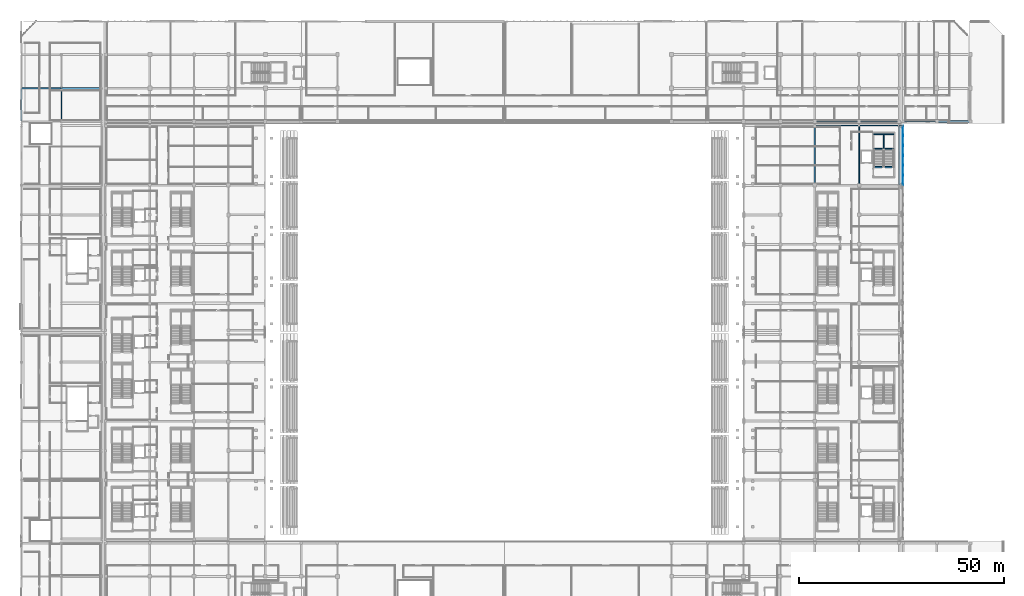
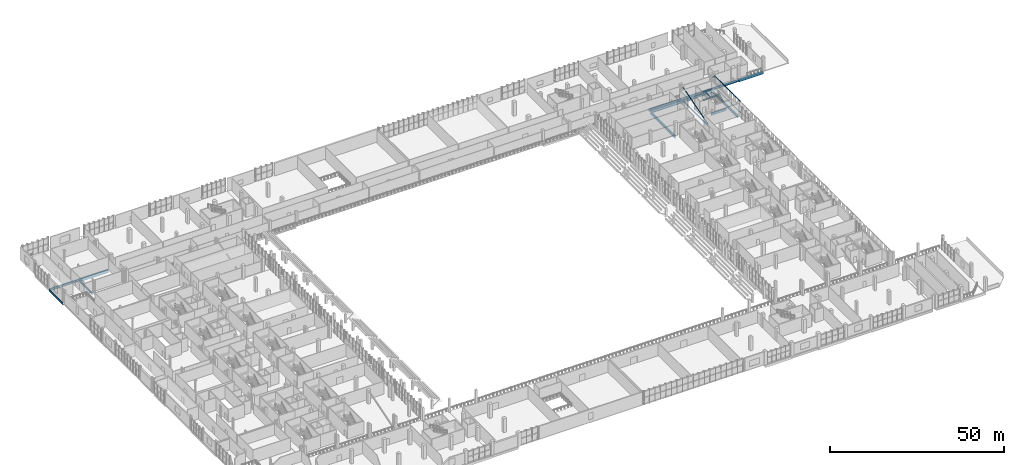
# One storey, part 59 of 142: 19 beams, 3 members.
"""IFC4 building model written with IfcOpenShell, lengths in metres."""

from ifc_helpers import new_model, si_unit, direction, frame, origin, origin_2d, place, context, subcontext, project, spatial, rectangle, hollow_rectangle, i_section, extrude, material, material_profile, profile_set, type_object, element, save


model = new_model("IFC4")

# Units and contexts
model_context = context("Model", 3, precision=1e-05, world=origin(), true_north=direction((0.0, 1.0)))
body_context = subcontext(model_context, "Body", "Model", "MODEL_VIEW")
ifc_project = project(units=[si_unit("LENGTHUNIT", "METRE"), si_unit("AREAUNIT", "SQUARE_METRE"), si_unit("VOLUMEUNIT", "CUBIC_METRE"), si_unit("PLANEANGLEUNIT", "RADIAN"), si_unit("MASSUNIT", "GRAM", prefix="KILO")], contexts=[model_context])

# Site, building, storey
site_placement = place(None, origin())
site = spatial("IfcSite", under=ifc_project, at=site_placement, CompositionType="ELEMENT")
building_placement = place(site_placement, origin())
building = spatial("IfcBuilding", under=site, at=building_placement, Name="Koshinbarg Plaza Stadium", CompositionType="ELEMENT")
storey_placement = place(building_placement, frame((0.0, 0.0, 10.199951171875)))
storey = spatial("IfcBuildingStorey", under=building, at=storey_placement, Name="L02", CompositionType="ELEMENT", Elevation=10.199951171875)

# Beams
ifc_material_1 = material(Name="Steel S355", Category="steel")
ifc_material_profile_1 = material_profile(ifc_material_1, i_section(OverallWidth=0.300048828125, OverallDepth=0.5, WebThickness=0.014404296875, FlangeThickness=0.028076171875, at=origin_2d()), Name="HEB 500")
ifc_profile_set_1 = profile_set([ifc_material_profile_1], Name="Steel S355")
beam_type_1 = type_object("IfcBeamType", Name="BM-CANOPY-CANT", PredefinedType="BEAM", material=ifc_profile_set_1)
for number, where, z_axis, x_axis, name in (
    (1, (218.39990234375, 126.5, 0.25), (1.0, 0.0, 0.0), (0.0, 1.0, 0.0), "Outer screen cantilever outrigger E-L02-Y08"),
    (2, (218.39990234375, 126.5, 4.179931640625), (1.0, 0.0, 0.0), (0.0, 1.0, 0.0), "Outer screen cantilever outrigger E-L02-Y08"),
):
    element("IfcBeam", number, at=place(storey_placement, frame(where, z_axis=z_axis, x_axis=x_axis)), inside=storey, type_object=beam_type_1, Name=name, PredefinedType="BEAM", context=body_context, shape_type="SweptSolid", body=[
        extrude(i_section(OverallWidth=0.300048828125, OverallDepth=0.5, WebThickness=0.014404296875, FlangeThickness=0.028076171875, at=origin_2d()), origin(), (0.0, 0.0, 1.0), 1.030029296875),
    ])
ifc_material_2 = material(Name="Concrete C40/50", Category="concrete")
ifc_material_profile_2 = material_profile(ifc_material_2, rectangle(XDim=0.39990234375, YDim=0.75, at=origin_2d()), Name="RC 400x750")
ifc_profile_set_2 = profile_set([ifc_material_profile_2], Name="Concrete C40/50")
beam_type_2 = type_object("IfcBeamType", Name="BM-RCG-03", PredefinedType="USERDEFINED", material=ifc_profile_set_2)
beam_1_placement = place(storey_placement, frame((212.14990234375, 116.360107421875, -0.375), z_axis=(1.0, 0.0, 0.0), x_axis=(0.0, 1.0, 0.0)))
element("IfcBeam", 3, at=beam_1_placement, inside=storey, type_object=beam_type_2, Name="L02 stair landing header beam C10", ObjectType="GIRDER", PredefinedType="USERDEFINED", context=body_context, shape_type="SweptSolid", body=[
    extrude(rectangle(XDim=0.39990234375, YDim=0.75, at=origin_2d()), origin(), (0.0, 0.0, 1.0), 4.97021484375),
])
ifc_material_profile_3 = material_profile(ifc_material_2, rectangle(XDim=0.5, YDim=0.85009765625, at=origin_2d()), Name="RC 500x850")
ifc_profile_set_3 = profile_set([ifc_material_profile_3], Name="Concrete C40/50")
beam_type_3 = type_object("IfcBeamType", Name="BM-RCG-05", PredefinedType="USERDEFINED", material=ifc_profile_set_3)
beam_2_placement = place(storey_placement, frame((227.659912109375, 127.5, -0.724853515625), z_axis=(1.0, 0.0, 0.0), x_axis=(0.0, 1.0, 0.0)))
element("IfcBeam", 4, at=beam_2_placement, inside=storey, type_object=beam_type_3, Name="L02 X girder S/23-24", ObjectType="GIRDER", PredefinedType="USERDEFINED", context=body_context, shape_type="SweptSolid", body=[
    extrude(rectangle(XDim=0.5, YDim=0.85009765625, at=origin_2d()), origin(), (0.0, 0.0, 1.0), 8.080078125),
])
ifc_material_profile_4 = material_profile(ifc_material_2, rectangle(XDim=0.5, YDim=0.949951171875, at=origin_2d()), Name="RC 500x950")
ifc_profile_set_4 = profile_set([ifc_material_profile_4], Name="Concrete C40/50")
beam_type_4 = type_object("IfcBeamType", Name="BM-RCG-06", PredefinedType="USERDEFINED", material=ifc_profile_set_4)
beam_3_placement = place(storey_placement, frame((13.860107421875, 135.60009765625, -0.77490234375), z_axis=(1.0, 0.0, 0.0), x_axis=(0.0, 1.0, 0.0)))
element("IfcBeam", 5, at=beam_3_placement, inside=storey, type_object=beam_type_4, Name="L02 X girder T/3-4", ObjectType="GIRDER", PredefinedType="USERDEFINED", context=body_context, shape_type="SweptSolid", body=[
    extrude(rectangle(XDim=0.5, YDim=0.949951171875, at=origin_2d()), origin(), (0.0, 0.0, 1.0), 9.679931640625),
])
ifc_material_profile_5 = material_profile(ifc_material_1, i_section(OverallWidth=0.179931640625, OverallDepth=0.39990234375, WebThickness=0.008544921875, FlangeThickness=0.013427734375, at=origin_2d()), Name="IPE 400")
ifc_profile_set_5 = profile_set([ifc_material_profile_5], Name="Steel S355")
beam_type_5 = type_object("IfcBeamType", Name="BM-SBM-01", PredefinedType="BEAM", material=ifc_profile_set_5)
for number, where, z_axis, x_axis, name in (
    (6, (212.14990234375, 120.81005859375, 1.880126953125), (1.0, 0.0, 0.0), (0.0, 1.0, 0.0), "L02 Protected Exit Stair C10 landing trimmer beam 1"),
    (7, (212.14990234375, 124.35009765625, 1.880126953125), (1.0, 0.0, 0.0), (0.0, 1.0, 0.0), "L02 Protected Exit Stair C10 landing trimmer beam 2"),
):
    element("IfcBeam", number, at=place(storey_placement, frame(where, z_axis=z_axis, x_axis=x_axis)), inside=storey, type_object=beam_type_5, Name=name, PredefinedType="BEAM", context=body_context, shape_type="SweptSolid", body=[
        extrude(i_section(OverallWidth=0.179931640625, OverallDepth=0.39990234375, WebThickness=0.008544921875, FlangeThickness=0.013427734375, at=origin_2d()), origin(), (0.0, 0.0, 1.0), 4.97021484375),
    ])
beam_4_placement = place(storey_placement, frame((214.635009765625, 120.81005859375, 1.880126953125), z_axis=(0.0, 1.0, 0.0), x_axis=(-1.0, 0.0, 0.0)))
element("IfcBeam", 8, at=beam_4_placement, inside=storey, type_object=beam_type_5, Name="L02 Protected Exit Stair C10 landing trimmer beam 3", PredefinedType="BEAM", context=body_context, shape_type="SweptSolid", body=[
    extrude(i_section(OverallWidth=0.179931640625, OverallDepth=0.39990234375, WebThickness=0.008544921875, FlangeThickness=0.013427734375, at=origin_2d()), origin(), (0.0, 0.0, 1.0), 3.5400390625),
])
ifc_material_profile_6 = material_profile(ifc_material_1, i_section(OverallWidth=0.300048828125, OverallDepth=0.60009765625, WebThickness=0.015380859375, FlangeThickness=0.030029296875, at=origin_2d()), Name="HEB 600")
ifc_profile_set_6 = profile_set([ifc_material_profile_6], Name="Steel S355")
beam_type_6 = type_object("IfcBeamType", Name="BM-SGIR-02", PredefinedType="USERDEFINED", material=ifc_profile_set_6)
beam_5_placement = place(storey_placement, frame((13.800048828125, 127.56005859375, -0.599853515625), z_axis=(0.0, 1.0, 0.0), x_axis=(-1.0, 0.0, 0.0)))
element("IfcBeam", 9, at=beam_5_placement, inside=storey, type_object=beam_type_6, Name="L02 Y girder 3/S-T", ObjectType="GIRDER", PredefinedType="USERDEFINED", context=body_context, shape_type="SweptSolid", body=[
    extrude(i_section(OverallWidth=0.300048828125, OverallDepth=0.60009765625, WebThickness=0.015380859375, FlangeThickness=0.030029296875, at=origin_2d()), origin(), (0.0, 0.0, 1.0), 7.97998046875),
])
ifc_material_profile_7 = material_profile(ifc_material_1, i_section(OverallWidth=0.300048828125, OverallDepth=0.699951171875, WebThickness=0.01708984375, FlangeThickness=0.031982421875, at=origin_2d()), Name="HEB 700")
ifc_profile_set_7 = profile_set([ifc_material_profile_7], Name="Steel S355")
beam_type_7 = type_object("IfcBeamType", Name="BM-SGIR-03", PredefinedType="USERDEFINED", material=ifc_profile_set_7)
beam_6_placement = place(storey_placement, frame((4.0, 127.56005859375, -0.64990234375), z_axis=(0.0, 1.0, 0.0), x_axis=(-1.0, 0.0, 0.0)))
element("IfcBeam", 10, at=beam_6_placement, inside=storey, type_object=beam_type_7, Name="L02 Y girder 2/S-T", ObjectType="GIRDER", PredefinedType="USERDEFINED", context=body_context, shape_type="SweptSolid", body=[
    extrude(i_section(OverallWidth=0.300048828125, OverallDepth=0.699951171875, WebThickness=0.01708984375, FlangeThickness=0.031982421875, at=origin_2d()), origin(), (0.0, 0.0, 1.0), 7.97998046875),
])
ifc_material_profile_8 = material_profile(ifc_material_1, i_section(OverallWidth=0.300048828125, OverallDepth=0.800048828125, WebThickness=0.017578125, FlangeThickness=0.032958984375, at=origin_2d()), Name="HEB 800")
ifc_profile_set_8 = profile_set([ifc_material_profile_8], Name="Steel S355")
beam_type_8 = type_object("IfcBeamType", Name="BM-SGIR-04", PredefinedType="USERDEFINED", material=ifc_profile_set_8)
for number, where, z_axis, x_axis, name in (
    (11, (208.659912109375, 126.5, -0.699951171875), (1.0, 0.0, 0.0), (0.0, 1.0, 0.0), "L02 X girder R/20-21"),
    (12, (208.659912109375, 127.5, -0.699951171875), (1.0, 0.0, 0.0), (0.0, 1.0, 0.0), "L02 X girder S/20-21"),
):
    element("IfcBeam", number, at=place(storey_placement, frame(where, z_axis=z_axis, x_axis=x_axis)), inside=storey, type_object=beam_type_8, Name=name, ObjectType="GIRDER", PredefinedType="USERDEFINED", context=body_context, shape_type="SweptSolid", body=[
        extrude(i_section(OverallWidth=0.300048828125, OverallDepth=0.800048828125, WebThickness=0.017578125, FlangeThickness=0.032958984375, at=origin_2d()), origin(), (0.0, 0.0, 1.0), 9.68017578125),
    ])
beam_7_placement = place(storey_placement, frame((219.4599609375, 127.5, -0.699951171875), z_axis=(1.0, 0.0, 0.0), x_axis=(0.0, 1.0, 0.0)))
element("IfcBeam", 13, at=beam_7_placement, inside=storey, type_object=beam_type_8, Name="L02 X girder S/22-23", ObjectType="GIRDER", PredefinedType="USERDEFINED", context=body_context, shape_type="SweptSolid", body=[
    extrude(i_section(OverallWidth=0.300048828125, OverallDepth=0.800048828125, WebThickness=0.017578125, FlangeThickness=0.032958984375, at=origin_2d()), origin(), (0.0, 0.0, 1.0), 8.080078125),
])
beam_8_placement = place(storey_placement, frame((4.06005859375, 135.60009765625, -0.699951171875), z_axis=(1.0, 0.0, 0.0), x_axis=(0.0, 1.0, 0.0)))
element("IfcBeam", 14, at=beam_8_placement, inside=storey, type_object=beam_type_8, Name="L02 X girder T/2-3", ObjectType="GIRDER", PredefinedType="USERDEFINED", context=body_context, shape_type="SweptSolid", body=[
    extrude(i_section(OverallWidth=0.300048828125, OverallDepth=0.800048828125, WebThickness=0.017578125, FlangeThickness=0.032958984375, at=origin_2d()), origin(), (0.0, 0.0, 1.0), 9.679931640625),
])
ifc_material_profile_9 = material_profile(ifc_material_1, i_section(OverallWidth=0.300048828125, OverallDepth=0.89990234375, WebThickness=0.0185546875, FlangeThickness=0.034912109375, at=origin_2d()), Name="HEB 900")
ifc_profile_set_9 = profile_set([ifc_material_profile_9], Name="Steel S355")
beam_type_9 = type_object("IfcBeamType", Name="BM-SGIR-05", PredefinedType="USERDEFINED", material=ifc_profile_set_9)
for number, where, z_axis, x_axis, name in (
    (15, (197.860107421875, 126.5, -0.75), (1.0, 0.0, 0.0), (0.0, 1.0, 0.0), "L02 X girder R/19-20"),
    (16, (197.860107421875, 127.5, -0.75), (1.0, 0.0, 0.0), (0.0, 1.0, 0.0), "L02 X girder S/19-20"),
):
    element("IfcBeam", number, at=place(storey_placement, frame(where, z_axis=z_axis, x_axis=x_axis)), inside=storey, type_object=beam_type_9, Name=name, ObjectType="GIRDER", PredefinedType="USERDEFINED", context=body_context, shape_type="SweptSolid", body=[
        extrude(i_section(OverallWidth=0.300048828125, OverallDepth=0.89990234375, WebThickness=0.0185546875, FlangeThickness=0.034912109375, at=origin_2d()), origin(), (0.0, 0.0, 1.0), 10.679931640625),
    ])
for number, where, z_axis, x_axis, name in (
    (17, (197.800048828125, 111.9599609375, -0.75), (0.0, 1.0, 0.0), (-1.0, 0.0, 0.0), "L02 Y girder 19/Q-R"),
    (18, (218.39990234375, 111.9599609375, -0.75), (0.0, 1.0, 0.0), (-1.0, 0.0, 0.0), "L02 Y girder 21/Q-R"),
):
    element("IfcBeam", number, at=place(storey_placement, frame(where, z_axis=z_axis, x_axis=x_axis)), inside=storey, type_object=beam_type_9, Name=name, ObjectType="GIRDER", PredefinedType="USERDEFINED", context=body_context, shape_type="SweptSolid", body=[
        extrude(i_section(OverallWidth=0.300048828125, OverallDepth=0.89990234375, WebThickness=0.0185546875, FlangeThickness=0.034912109375, at=origin_2d()), origin(), (0.0, 0.0, 1.0), 14.47998046875),
    ])
ifc_material_profile_10 = material_profile(ifc_material_1, hollow_rectangle(XDim=0.25, YDim=0.449951171875, WallThickness=0.01611328125, at=origin_2d()), Name="RHS 450x250x16")
ifc_profile_set_10 = profile_set([ifc_material_profile_10], Name="Steel S355")
beam_type_10 = type_object("IfcBeamType", Name="BM-SGIR-06", PredefinedType="USERDEFINED", material=ifc_profile_set_10)
beam_9_placement = place(storey_placement, frame((208.60009765625, 111.9599609375, -0.52490234375), z_axis=(0.0, 1.0, 0.0), x_axis=(-1.0, 0.0, 0.0)))
element("IfcBeam", 19, at=beam_9_placement, inside=storey, type_object=beam_type_10, Name="L02 Y girder 20/Q-R", ObjectType="GIRDER", PredefinedType="USERDEFINED", context=body_context, shape_type="SweptSolid", body=[
    extrude(hollow_rectangle(XDim=0.25, YDim=0.449951171875, WallThickness=0.01611328125, at=origin_2d()), origin(), (0.0, 0.0, 1.0), 14.47998046875),
])

# Members
ifc_material_profile_11 = material_profile(ifc_material_1, hollow_rectangle(XDim=0.199951171875, YDim=0.199951171875, WallThickness=0.010009765625, at=origin_2d()), Name="SHS 200x200x10")
ifc_profile_set_11 = profile_set([ifc_material_profile_11], Name="Steel S355")
member_type_1 = type_object("IfcMemberType", Name="MB-BRACE-06", PredefinedType="BRACE", material=ifc_profile_set_11)
member_placement = place(storey_placement, frame((208.60009765625, 111.97998046875, 0.050048828125), z_axis=(0.0, 0.961097239183, 0.27621024028), x_axis=(-1.0, 0.0, 0.0)))
element("IfcMember", 20, at=member_placement, inside=storey, type_object=member_type_1, Name="L02 lateral frame brace 12", PredefinedType="BRACE", context=body_context, shape_type="SweptSolid", body=[
    extrude(hollow_rectangle(XDim=0.199951171875, YDim=0.199951171875, WallThickness=0.010009765625, at=origin_2d()), origin(), (0.0, 0.0, 1.0), 15.0244140625),
])
ifc_material_profile_12 = material_profile(ifc_material_1, hollow_rectangle(XDim=0.10009765625, YDim=0.199951171875, WallThickness=0.008056640625, at=origin_2d()), Name="RHS 200x100x8")
ifc_profile_set_12 = profile_set([ifc_material_profile_12], Name="Steel S355")
member_type_2 = type_object("IfcMemberType", Name="MB-PURL-03", PredefinedType="PURLIN", material=ifc_profile_set_12)
for number, where, z_axis, x_axis, name in (
    (21, (219.35009765625, 111.89990234375, 0.25), (0.0, 1.0, 0.0), (-1.0, 0.0, 0.0), "L02 outer screen subframe rail E-7-BOT"),
    (22, (219.35009765625, 111.89990234375, 4.179931640625), (0.0, 1.0, 0.0), (-1.0, 0.0, 0.0), "L02 outer screen subframe rail E-7-TOP"),
):
    element("IfcMember", number, at=place(storey_placement, frame(where, z_axis=z_axis, x_axis=x_axis)), inside=storey, type_object=member_type_2, Name=name, PredefinedType="PURLIN", context=body_context, shape_type="SweptSolid", body=[
        extrude(hollow_rectangle(XDim=0.10009765625, YDim=0.199951171875, WallThickness=0.008056640625, at=origin_2d()), origin(), (0.0, 0.0, 1.0), 14.60009765625),
    ])

save(model, "model.ifc")
